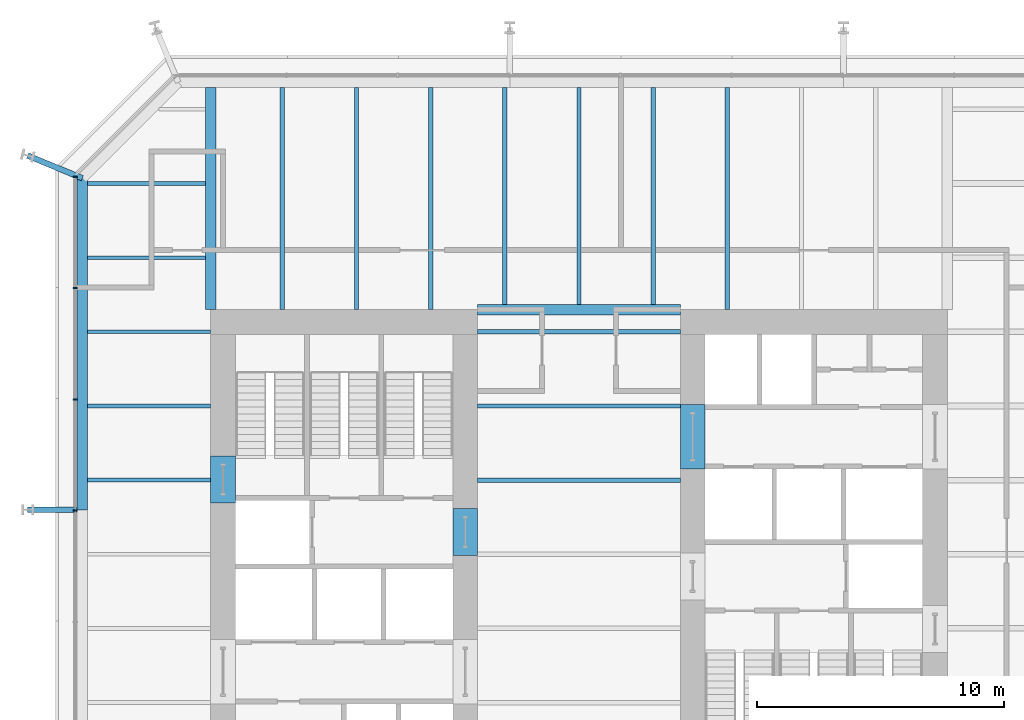
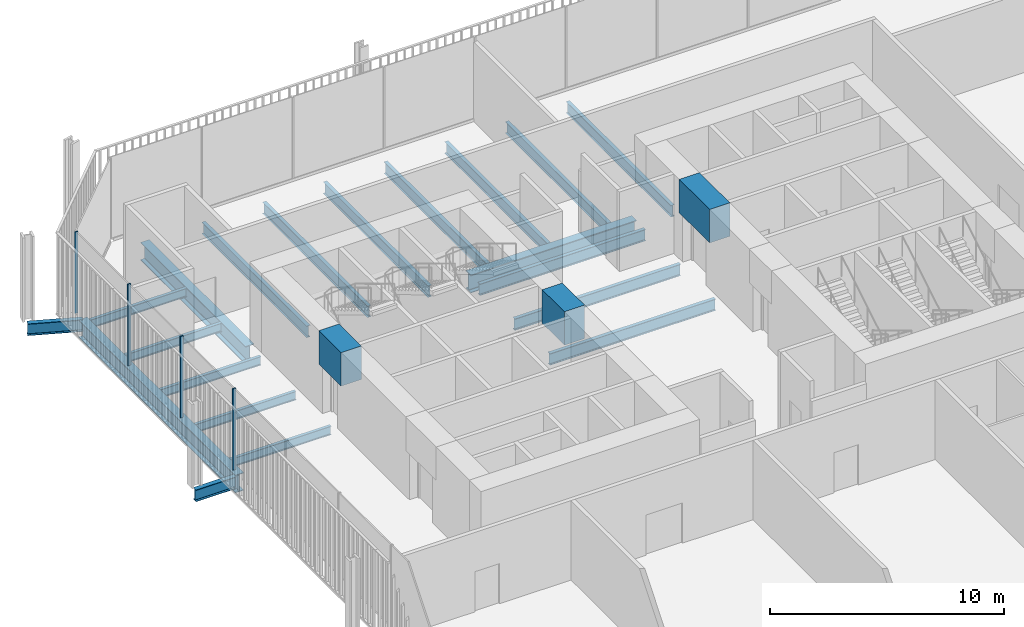
# One storey, part 11 of 20: 23 beams, 4 members, 1 element without a shape of its own.
"""IFC4 building model written with IfcOpenShell, lengths in metres."""

from ifc_helpers import new_model, si_unit, direction, frame, origin, origin_2d, place, context, subcontext, project, spatial, rectangle, i_section, extrude, material, layer, layer_set, material_profile, profile_set, type_object, element, aggregate, save


model = new_model("IFC4")

# Units and contexts
model_context = context("Model", 3, precision=1e-05, world=origin(), true_north=direction((0.0, 1.0)))
body_context = subcontext(model_context, "Body", "Model", "MODEL_VIEW")
ifc_project = project(units=[si_unit("LENGTHUNIT", "METRE"), si_unit("AREAUNIT", "SQUARE_METRE"), si_unit("VOLUMEUNIT", "CUBIC_METRE"), si_unit("PLANEANGLEUNIT", "RADIAN"), si_unit("MASSUNIT", "GRAM", prefix="KILO")], contexts=[model_context])

# Site, building, storey
site_placement = place(None, origin())
site = spatial("IfcSite", under=ifc_project, at=site_placement, CompositionType="ELEMENT")
building_placement = place(site_placement, origin())
building = spatial("IfcBuilding", under=site, at=building_placement, Name="Millrace Tower", CompositionType="ELEMENT")
storey_placement = place(building_placement, frame((0.0, 0.0, 108.39990234375)))
storey = spatial("IfcBuildingStorey", under=building, at=storey_placement, Name="L24", CompositionType="ELEMENT", Elevation=108.39990234375)

# Curtain wall, members
ifc_material_1 = material(Name="Aluminium and glass", Category="aluminium")
ifc_layer = layer(ifc_material_1, 0.14990234375)
ifc_layer_set = layer_set([ifc_layer], Name="Aluminium and glass")
curtain_wall_type = type_object("IfcCurtainWallType", Name="CW-3 telecom floor curtain wall", PredefinedType="NOTDEFINED", material=ifc_layer_set)
curtain_wall_placement = place(storey_placement, origin())
curtain_wall = element("IfcCurtainWall", 1, at=curtain_wall_placement, inside=storey, type_object=curtain_wall_type, Name="Curtain wall B-F08 L24", PredefinedType="NOTDEFINED")
ifc_material_2 = material(Name="Aluminium", Category="aluminium")
ifc_material_profile_1 = material_profile(ifc_material_2, rectangle(XDim=0.06494140625, YDim=0.14990234375, at=origin_2d()))
ifc_profile_set_1 = profile_set([ifc_material_profile_1], Name="Aluminium")
member_type = type_object("IfcMemberType", Name="CW-3 telecom floor curtain wall mullion", PredefinedType="MULLION", material=ifc_profile_set_1)
member_1_placement = place(storey_placement, frame((-20.375, 15.267578125, 0.150146484375), z_axis=(0.0, 0.0, 1.0), x_axis=(0.0, -1.0, 0.0)))
member_1 = element("IfcMember", 2, at=member_1_placement, type_object=member_type, Name="CW3 mullion B-F08.1", PredefinedType="MULLION", context=body_context, shape_type="SweptSolid", body=[
    extrude(rectangle(XDim=0.06494140625, YDim=0.14990234375, at=origin_2d()), origin(), (0.0, 0.0, 1.0), 4.25),
])
member_2_placement = place(storey_placement, frame((-20.375, 10.767578125, 0.150146484375), z_axis=(0.0, 0.0, 1.0), x_axis=(0.0, -1.0, 0.0)))
member_2 = element("IfcMember", 3, at=member_2_placement, type_object=member_type, Name="CW3 mullion B-F08.2", PredefinedType="MULLION", context=body_context, shape_type="SweptSolid", body=[
    extrude(rectangle(XDim=0.06494140625, YDim=0.14990234375, at=origin_2d()), origin(), (0.0, 0.0, 1.0), 4.25),
])
member_3_placement = place(storey_placement, frame((-20.375, 6.267578125, 0.150146484375), z_axis=(0.0, 0.0, 1.0), x_axis=(0.0, -1.0, 0.0)))
member_3 = element("IfcMember", 4, at=member_3_placement, type_object=member_type, Name="CW3 mullion B-F08.3", PredefinedType="MULLION", context=body_context, shape_type="SweptSolid", body=[
    extrude(rectangle(XDim=0.06494140625, YDim=0.14990234375, at=origin_2d()), origin(), (0.0, 0.0, 1.0), 4.25),
])
member_4_placement = place(storey_placement, frame((-20.375, 1.767578125, 0.150146484375), z_axis=(0.0, 0.0, 1.0), x_axis=(0.0, -1.0, 0.0)))
member_4 = element("IfcMember", 5, at=member_4_placement, type_object=member_type, Name="CW3 mullion B-F08.4", PredefinedType="MULLION", context=body_context, shape_type="SweptSolid", body=[
    extrude(rectangle(XDim=0.06494140625, YDim=0.14990234375, at=origin_2d()), origin(), (0.0, 0.0, 1.0), 4.25),
])
aggregate(curtain_wall, [member_1, member_2, member_3, member_4])

# Beams
ifc_material_3 = material(Name="Concrete C80", Category="concrete")
ifc_material_profile_2 = material_profile(ifc_material_3, rectangle(XDim=1.0, YDim=1.75, at=origin_2d()))
ifc_profile_set_2 = profile_set([ifc_material_profile_2], Name="Concrete C80")
beam_type_1 = type_object("IfcBeamType", Name="Coupling beam 1000 x 1750 Concrete C80, 1300 opening", PredefinedType="BEAM", material=ifc_profile_set_2)
beam_1_placement = place(storey_placement, frame((-14.39990234375, 2.080078125, 3.275146484375), z_axis=(0.0, 1.0, 0.0), x_axis=(-1.0, 0.0, 0.0)))
element("IfcBeam", 6, at=beam_1_placement, inside=storey, type_object=beam_type_1, Name="Coupling beam W L24", PredefinedType="BEAM", context=body_context, shape_type="SweptSolid", body=[
    extrude(rectangle(XDim=1.0, YDim=1.75, at=origin_2d()), origin(), (0.0, 0.0, 1.0), 1.89990234375),
])
beam_2_placement = place(storey_placement, frame((-4.60009765625, -0.050048828125, 3.275146484375), z_axis=(0.0, 1.0, 0.0), x_axis=(-1.0, 0.0, 0.0)))
element("IfcBeam", 7, at=beam_2_placement, inside=storey, type_object=beam_type_1, Name="Coupling beam W L24", PredefinedType="BEAM", context=body_context, shape_type="SweptSolid", body=[
    extrude(rectangle(XDim=1.0, YDim=1.75, at=origin_2d()), origin(), (0.0, 0.0, 1.0), 1.900146484375),
])
ifc_material_4 = material(Name="Concrete C80", Category="concrete")
ifc_material_profile_3 = material_profile(ifc_material_4, rectangle(XDim=1.0, YDim=1.75, at=origin_2d()))
ifc_profile_set_3 = profile_set([ifc_material_profile_3], Name="Concrete C80")
beam_type_2 = type_object("IfcBeamType", Name="Coupling beam 1000 x 1750 Concrete C80, 2000 opening", PredefinedType="BEAM", material=ifc_profile_set_3)
beam_3_placement = place(storey_placement, frame((4.60009765625, 6.050048828125, 3.275146484375), z_axis=(0.0, -1.0, 0.0), x_axis=(1.0, 0.0, 0.0)))
element("IfcBeam", 8, at=beam_3_placement, inside=storey, type_object=beam_type_2, Name="Coupling beam E L24", PredefinedType="BEAM", context=body_context, shape_type="SweptSolid", body=[
    extrude(rectangle(XDim=1.0, YDim=1.75, at=origin_2d()), origin(), (0.0, 0.0, 1.0), 2.60009765625),
])
ifc_material_5 = material(Name="Steel ASTM A992 Grade 50", Category="steel")
ifc_material_profile_4 = material_profile(ifc_material_5, i_section(OverallWidth=0.15234375, OverallDepth=0.449462890625, WebThickness=0.007568359375, FlangeThickness=0.0107421875, FilletRadius=0.01025390625, at=origin_2d()))
ifc_profile_set_4 = profile_set([ifc_material_profile_4], Name="Steel ASTM A992 Grade 50")
beam_type_3 = type_object("IfcBeamType", Name="Floor beam W18x35", PredefinedType="JOIST", material=ifc_profile_set_4)
for number, where, z_axis, x_axis, name in (
    (9, (-19.880859375, 3.0, -0.4248046875), (1.0, 0.0, 0.0), (0.0, 1.0, 0.0), "BM-B-L24-S1-S026"),
    (10, (-19.880859375, 6.0, -0.4248046875), (1.0, 0.0, 0.0), (0.0, 1.0, 0.0), "BM-B-L24-S1-S029"),
    (11, (-19.880859375, 9.0, -0.4248046875), (1.0, 0.0, 0.0), (0.0, 1.0, 0.0), "BM-B-L24-S1-S032"),
):
    element("IfcBeam", number, at=place(storey_placement, frame(where, z_axis=z_axis, x_axis=x_axis)), inside=storey, type_object=beam_type_3, Name=name, PredefinedType="JOIST", context=body_context, shape_type="SweptSolid", body=[
        extrude(i_section(OverallWidth=0.15234375, OverallDepth=0.449462890625, WebThickness=0.007568359375, FlangeThickness=0.0107421875, FilletRadius=0.01025390625, at=origin_2d()), origin(), (0.0, 0.0, 1.0), 4.98095703125),
    ])
for number, where, z_axis, x_axis, name in (
    (12, (-19.880859375, 12.0, -0.4248046875), (1.0, 0.0, 0.0), (0.0, 1.0, 0.0), "BM-B-L24-S1-S034"),
    (13, (-19.880859375, 15.0, -0.4248046875), (1.0, 0.0, 0.0), (0.0, 1.0, 0.0), "BM-B-L24-S1-S036"),
):
    element("IfcBeam", number, at=place(storey_placement, frame(where, z_axis=z_axis, x_axis=x_axis)), inside=storey, type_object=beam_type_3, Name=name, PredefinedType="JOIST", context=body_context, shape_type="SweptSolid", body=[
        extrude(i_section(OverallWidth=0.15234375, OverallDepth=0.449462890625, WebThickness=0.007568359375, FlangeThickness=0.0107421875, FilletRadius=0.01025390625, at=origin_2d()), origin(), (0.0, 0.0, 1.0), 4.77001953125),
    ])
ifc_material_6 = material(Name="Steel ASTM A992 Grade 50", Category="steel")
ifc_material_profile_5 = material_profile(ifc_material_6, i_section(OverallWidth=0.177978515625, OverallDepth=0.599365234375, WebThickness=0.010009765625, FlangeThickness=0.012939453125, FilletRadius=0.012939453125, at=origin_2d()))
ifc_profile_set_5 = profile_set([ifc_material_profile_5], Name="Steel ASTM A992 Grade 50")
beam_type_4 = type_object("IfcBeamType", Name="Floor beam W24x55", PredefinedType="JOIST", material=ifc_profile_set_5)
for number, where, z_axis, x_axis, name in (
    (14, (-4.10009765625, 3.0, -0.49951171875), (1.0, 0.0, 0.0), (0.0, 1.0, 0.0), "BM-B-L24-S1-S025"),
    (15, (-4.10009765625, 6.0, -0.49951171875), (1.0, 0.0, 0.0), (0.0, 1.0, 0.0), "BM-B-L24-S1-S028"),
    (16, (-4.10009765625, 9.0, -0.49951171875), (1.0, 0.0, 0.0), (0.0, 1.0, 0.0), "BM-B-L24-S1-S031"),
):
    element("IfcBeam", number, at=place(storey_placement, frame(where, z_axis=z_axis, x_axis=x_axis)), inside=storey, type_object=beam_type_4, Name=name, PredefinedType="JOIST", context=body_context, shape_type="SweptSolid", body=[
        extrude(i_section(OverallWidth=0.177978515625, OverallDepth=0.599365234375, WebThickness=0.010009765625, FlangeThickness=0.012939453125, FilletRadius=0.012939453125, at=origin_2d()), origin(), (0.0, 0.0, 1.0), 8.2001953125),
    ])
for number, where, z_axis, x_axis, name in (
    (17, (-12.0, 9.89990234375, -0.49951171875), (0.0, 1.0, 0.0), (-1.0, 0.0, 0.0), "BM-B-L24-S1-S040"),
    (18, (-9.0, 9.89990234375, -0.49951171875), (0.0, 1.0, 0.0), (-1.0, 0.0, 0.0), "BM-B-L24-S1-S042"),
    (19, (-6.0, 9.89990234375, -0.49951171875), (0.0, 1.0, 0.0), (-1.0, 0.0, 0.0), "BM-B-L24-S1-S044"),
):
    element("IfcBeam", number, at=place(storey_placement, frame(where, z_axis=z_axis, x_axis=x_axis)), inside=storey, type_object=beam_type_4, Name=name, PredefinedType="JOIST", context=body_context, shape_type="SweptSolid", body=[
        extrude(i_section(OverallWidth=0.177978515625, OverallDepth=0.599365234375, WebThickness=0.010009765625, FlangeThickness=0.012939453125, FilletRadius=0.012939453125, at=origin_2d()), origin(), (0.0, 0.0, 1.0), 8.98095703125),
    ])
for number, where, z_axis, x_axis, name in (
    (20, (-3.0, 10.11083984375, -0.49951171875), (0.0, 1.0, 0.0), (-1.0, 0.0, 0.0), "BM-B-L24-S1-S046"),
    (21, (0.0, 10.11083984375, -0.49951171875), (0.0, 1.0, 0.0), (-1.0, 0.0, 0.0), "BM-B-L24-S1-S048"),
    (22, (3.0, 10.11083984375, -0.49951171875), (0.0, 1.0, 0.0), (-1.0, 0.0, 0.0), "BM-B-L24-S1-S050"),
):
    element("IfcBeam", number, at=place(storey_placement, frame(where, z_axis=z_axis, x_axis=x_axis)), inside=storey, type_object=beam_type_4, Name=name, PredefinedType="JOIST", context=body_context, shape_type="SweptSolid", body=[
        extrude(i_section(OverallWidth=0.177978515625, OverallDepth=0.599365234375, WebThickness=0.010009765625, FlangeThickness=0.012939453125, FilletRadius=0.012939453125, at=origin_2d()), origin(), (0.0, 0.0, 1.0), 8.77001953125),
    ])
beam_4_placement = place(storey_placement, frame((6.0, 9.89990234375, -0.49951171875), z_axis=(0.0, 1.0, 0.0), x_axis=(-1.0, 0.0, 0.0)))
element("IfcBeam", 23, at=beam_4_placement, inside=storey, type_object=beam_type_4, Name="BM-B-L24-S1-S052", PredefinedType="JOIST", context=body_context, shape_type="SweptSolid", body=[
    extrude(i_section(OverallWidth=0.177978515625, OverallDepth=0.599365234375, WebThickness=0.010009765625, FlangeThickness=0.012939453125, FilletRadius=0.012939453125, at=origin_2d()), origin(), (0.0, 0.0, 1.0), 8.98095703125),
])
ifc_material_7 = material(Name="Steel ASTM A992 Grade 50", Category="steel")
ifc_material_profile_6 = material_profile(ifc_material_7, i_section(OverallWidth=0.421630859375, OverallDepth=0.937255859375, WebThickness=0.021240234375, FlangeThickness=0.03662109375, FilletRadius=0.024169921875, at=origin_2d()))
ifc_profile_set_6 = profile_set([ifc_material_profile_6], Name="Steel ASTM A992 Grade 50")
beam_type_5 = type_object("IfcBeamType", Name="Girder short span W36x262", PredefinedType="BEAM", material=ifc_profile_set_6)
beam_5_placement = place(storey_placement, frame((-14.89990234375, 9.89990234375, -0.66845703125), z_axis=(0.0, 1.0, 0.0), x_axis=(-1.0, 0.0, 0.0)))
element("IfcBeam", 24, at=beam_5_placement, inside=storey, type_object=beam_type_5, Name="BM-B-L24-S1-G058", PredefinedType="BEAM", context=body_context, shape_type="SweptSolid", body=[
    extrude(i_section(OverallWidth=0.421630859375, OverallDepth=0.937255859375, WebThickness=0.021240234375, FlangeThickness=0.03662109375, FilletRadius=0.024169921875, at=origin_2d()), origin(), (0.0, 0.0, 1.0), 8.98095703125),
])
beam_6_placement = place(storey_placement, frame((-4.10009765625, 9.89990234375, -0.66845703125), z_axis=(1.0, 0.0, 0.0), x_axis=(0.0, 1.0, 0.0)))
element("IfcBeam", 25, at=beam_6_placement, inside=storey, type_object=beam_type_5, Name="BM-B-L24-S1-G062", PredefinedType="BEAM", context=body_context, shape_type="SweptSolid", body=[
    extrude(i_section(OverallWidth=0.421630859375, OverallDepth=0.937255859375, WebThickness=0.021240234375, FlangeThickness=0.03662109375, FilletRadius=0.024169921875, at=origin_2d()), origin(), (0.0, 0.0, 1.0), 8.2001953125),
])
ifc_material_8 = material(Name="Steel ASTM A992 Grade 50", Category="steel")
ifc_material_profile_7 = material_profile(ifc_material_8, i_section(OverallWidth=0.23046875, OverallDepth=0.6171875, WebThickness=0.01318359375, FlangeThickness=0.022216796875, FilletRadius=0.012939453125, at=origin_2d()))
ifc_profile_set_7 = profile_set([ifc_material_profile_7], Name="Steel ASTM A992 Grade 50")
beam_type_6 = type_object("IfcBeamType", Name="Link beam W24x94", PredefinedType="BEAM", material=ifc_profile_set_7)
beam_7_placement = place(storey_placement, frame((-20.300048828125, 1.800048828125, -0.508544921875), z_axis=(-1.0, 0.0, 0.0), x_axis=(0.0, -1.0, 0.0)))
element("IfcBeam", 26, at=beam_7_placement, inside=storey, type_object=beam_type_6, Name="LNK-B-L24-S1-03", PredefinedType="BEAM", context=body_context, shape_type="SweptSolid", body=[
    extrude(i_section(OverallWidth=0.23046875, OverallDepth=0.6171875, WebThickness=0.01318359375, FlangeThickness=0.022216796875, FilletRadius=0.012939453125, at=origin_2d()), origin(), (0.0, 0.0, 1.0), 2.0),
])
beam_8_placement = place(storey_placement, frame((-20.09033203125, 15.213134765625, -0.508544921875), z_axis=(-0.923881226989, 0.382679341507, 0.0), x_axis=(-0.382679341507, -0.923881226989, 0.0)))
element("IfcBeam", 27, at=beam_8_placement, inside=storey, type_object=beam_type_6, Name="LNK-B-L24-S1-04", PredefinedType="BEAM", context=body_context, shape_type="SweptSolid", body=[
    extrude(i_section(OverallWidth=0.23046875, OverallDepth=0.6171875, WebThickness=0.01318359375, FlangeThickness=0.022216796875, FilletRadius=0.012939453125, at=origin_2d()), origin(), (0.0, 0.0, 1.0), 2.391845703125),
])
ifc_material_9 = material(Name="Steel ASTM A992 Grade 50", Category="steel")
ifc_material_profile_8 = material_profile(ifc_material_9, i_section(OverallWidth=0.419189453125, OverallDepth=0.927001953125, WebThickness=0.019287109375, FlangeThickness=0.031982421875, FilletRadius=0.024169921875, at=origin_2d()))
ifc_profile_set_8 = profile_set([ifc_material_profile_8], Name="Steel ASTM A992 Grade 50")
beam_type_7 = type_object("IfcBeamType", Name="Ring beam medium span W36x231", PredefinedType="SPANDREL", material=ifc_profile_set_8)
beam_9_placement = place(storey_placement, frame((-20.09033203125, 1.800048828125, -0.66357421875), z_axis=(0.0, 1.0, 0.0), x_axis=(-1.0, 0.0, 0.0)))
element("IfcBeam", 28, at=beam_9_placement, inside=storey, type_object=beam_type_7, Name="RNG-B-L24-S1-03", PredefinedType="SPANDREL", context=body_context, shape_type="SweptSolid", body=[
    extrude(i_section(OverallWidth=0.419189453125, OverallDepth=0.927001953125, WebThickness=0.019287109375, FlangeThickness=0.031982421875, FilletRadius=0.024169921875, at=origin_2d()), origin(), (0.0, 0.0, 1.0), 13.4130859375),
])

save(model, "model.ifc")
